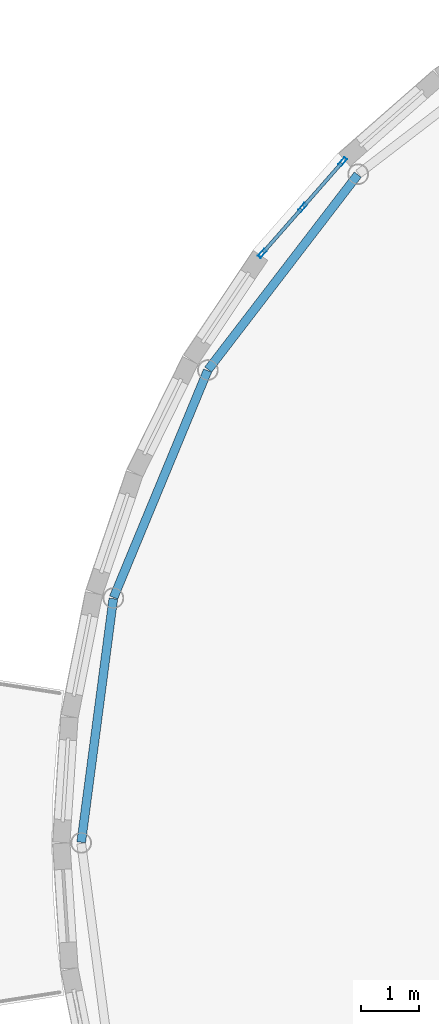
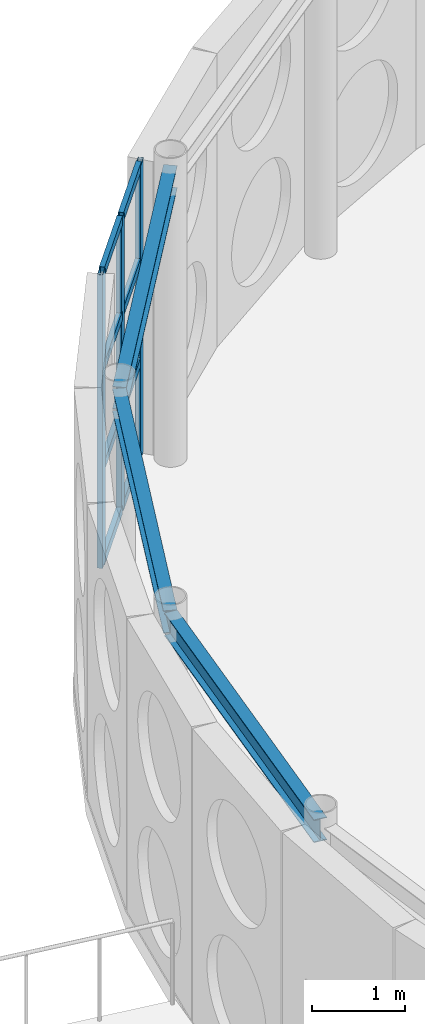
# One storey, part 56 of 165: 11 members, 3 beams, 1 element without a shape of its own.
"""IFC4 building model written with IfcOpenShell, lengths in metres."""

from ifc_helpers import new_model, si_unit, direction, frame, origin, origin_2d, place, context, subcontext, project, spatial, hollow_rectangle, i_section, extrude, material, layer, layer_set, material_profile, profile_set, type_object, element, aggregate, save


model = new_model("IFC4")

# Units and contexts
model_context = context("Model", 3, precision=1e-05, world=origin(), true_north=direction((0.0, 1.0)))
body_context = subcontext(model_context, "Body", "Model", "MODEL_VIEW")
ifc_project = project(units=[si_unit("LENGTHUNIT", "METRE"), si_unit("AREAUNIT", "SQUARE_METRE"), si_unit("VOLUMEUNIT", "CUBIC_METRE"), si_unit("PLANEANGLEUNIT", "RADIAN"), si_unit("MASSUNIT", "GRAM", prefix="KILO")], contexts=[model_context])

# Site, building, storey
site_placement = place(None, origin())
site = spatial("IfcSite", under=ifc_project, at=site_placement, CompositionType="ELEMENT")
building_placement = place(site_placement, origin())
building = spatial("IfcBuilding", under=site, at=building_placement, Name="Montecoro Central Library", CompositionType="ELEMENT")
storey_placement = place(building_placement, frame((0.0, 0.0, 5.10009765625)))
storey = spatial("IfcBuildingStorey", under=building, at=storey_placement, Name="L01", CompositionType="ELEMENT", Elevation=5.10009765625)

# Beams
ifc_material_1 = material(Name="Steel S355", Category="steel")
ifc_material_profile_1 = material_profile(ifc_material_1, i_section(OverallWidth=0.14990234375, OverallDepth=0.300048828125, WebThickness=0.007080078125, FlangeThickness=0.0107421875, at=origin_2d()), Name="IPE 300")
ifc_profile_set_1 = profile_set([ifc_material_profile_1], Name="Steel S355")
beam_type = type_object("IfcBeamType", Name="BM-SP-IPE300", PredefinedType="SPANDREL", material=ifc_profile_set_1)
beam_placement = place(storey_placement, frame((80.153076171875, 46.8330078125, 3.704833984375), z_axis=(-0.608772883181, -0.793344551064, 0.0), x_axis=(0.793344551064, -0.608772883181, 0.0)))
element("IfcBeam", 1, at=beam_placement, inside=storey, type_object=beam_type, Name="V1-L01-RING-10", PredefinedType="SPANDREL", context=body_context, shape_type="SweptSolid", body=[
    extrude(i_section(OverallWidth=0.14990234375, OverallDepth=0.300048828125, WebThickness=0.007080078125, FlangeThickness=0.0107421875, at=origin_2d()), origin(), (0.0, 0.0, 1.0), 4.20361328125),
])
for number, where, z_axis, x_axis, name in (
    (2, (77.583984375, 43.48095703125, 3.704833984375), (-0.382697134684, -0.923873856706, 0.0), (0.923873856706, -0.382697134684, 0.0), "V1-L01-RING-11"),
    (3, (75.969970703125, 39.577880859375, 3.704833984375), (-0.130607740177, -0.99143412197, 0.0), (0.99143412197, -0.130607740177, 0.0), "V1-L01-RING-12"),
):
    element("IfcBeam", number, at=place(storey_placement, frame(where, z_axis=z_axis, x_axis=x_axis)), inside=storey, type_object=beam_type, Name=name, PredefinedType="SPANDREL", context=body_context, shape_type="SweptSolid", body=[
        extrude(i_section(OverallWidth=0.14990234375, OverallDepth=0.300048828125, WebThickness=0.007080078125, FlangeThickness=0.0107421875, at=origin_2d()), origin(), (0.0, 0.0, 1.0), 4.2041015625),
    ])

# Curtain wall, members
ifc_material_2 = material(Name="Bronze-anodised aluminium and low-E glazing", Category="aluminium")
ifc_layer = layer(ifc_material_2, 0.159912109375)
ifc_layer_set = layer_set([ifc_layer], Name="Bronze-anodised aluminium and low-E glazing")
curtain_wall_type = type_object("IfcCurtainWallType", Name="CWT-003", PredefinedType="NOTDEFINED", material=ifc_layer_set)
curtain_wall_placement = place(storey_placement, origin())
curtain_wall = element("IfcCurtainWall", 4, at=curtain_wall_placement, inside=storey, type_object=curtain_wall_type, Name="V1-L01-CW-19", PredefinedType="NOTDEFINED")
ifc_material_3 = material(Name="Bronze-anodised aluminium", Category="aluminium")
ifc_material_profile_2 = material_profile(ifc_material_3, hollow_rectangle(XDim=0.06005859375, YDim=0.159912109375, WallThickness=0.00390625, at=origin_2d()), Name="CWM 160x60x4.0")
ifc_profile_set_2 = profile_set([ifc_material_profile_2], Name="Bronze-anodised aluminium")
member_type_1 = type_object("IfcMemberType", Name="CWM-BRZ-60", PredefinedType="MULLION", material=ifc_profile_set_2)
member_1_placement = place(storey_placement, frame((79.894287109375, 47.052490234375, 0.0), z_axis=(0.0, 0.0, 1.0), x_axis=(0.751536059457, -0.659692012485, 0.0)))
member_1 = element("IfcMember", 5, at=member_1_placement, type_object=member_type_1, Name="CW-003 mullion 1", PredefinedType="MULLION", context=body_context, shape_type="SweptSolid", body=[
    extrude(hollow_rectangle(XDim=0.06005859375, YDim=0.159912109375, WallThickness=0.00390625, at=origin_2d()), origin(), (0.0, 0.0, 1.0), 3.85498046875),
])
member_2_placement = place(storey_placement, frame((79.20654296875, 46.26904296875, 0.0), z_axis=(0.0, 0.0, 1.0), x_axis=(0.751536059457, -0.659692012485, 0.0)))
member_2 = element("IfcMember", 6, at=member_2_placement, type_object=member_type_1, Name="CW-003 mullion 2", PredefinedType="MULLION", context=body_context, shape_type="SweptSolid", body=[
    extrude(hollow_rectangle(XDim=0.06005859375, YDim=0.159912109375, WallThickness=0.00390625, at=origin_2d()), origin(), (0.0, 0.0, 1.0), 3.85498046875),
])
member_3_placement = place(storey_placement, frame((78.518798828125, 45.485595703125, 0.0), z_axis=(0.0, 0.0, 1.0), x_axis=(0.751536059457, -0.659692012485, 0.0)))
member_3 = element("IfcMember", 7, at=member_3_placement, type_object=member_type_1, Name="CW-003 mullion 3", PredefinedType="MULLION", context=body_context, shape_type="SweptSolid", body=[
    extrude(hollow_rectangle(XDim=0.06005859375, YDim=0.159912109375, WallThickness=0.00390625, at=origin_2d()), origin(), (0.0, 0.0, 1.0), 3.85498046875),
])
ifc_material_profile_3 = material_profile(ifc_material_3, hollow_rectangle(XDim=0.06005859375, YDim=0.1201171875, WallThickness=0.00390625, at=origin_2d()), Name="CWT 120x60x4.0")
ifc_profile_set_3 = profile_set([ifc_material_profile_3], Name="Bronze-anodised aluminium")
member_type_2 = type_object("IfcMemberType", Name="CWT-BRZ-60", PredefinedType="USERDEFINED", material=ifc_profile_set_3)
member_4_placement = place(storey_placement, frame((79.87451171875, 47.030029296875, 0.02978515625), z_axis=(-0.659647179219, -0.751575411351, 0.0), x_axis=(0.751575411351, -0.659647179219, 0.0)))
member_4 = element("IfcMember", 8, at=member_4_placement, type_object=member_type_2, Name="CW-003 transom 1.1", ObjectType="TRANSOM", PredefinedType="USERDEFINED", context=body_context, shape_type="SweptSolid", body=[
    extrude(hollow_rectangle(XDim=0.06005859375, YDim=0.1201171875, WallThickness=0.00390625, at=origin_2d()), origin(), (0.0, 0.0, 1.0), 0.982666015625),
])
member_5_placement = place(storey_placement, frame((79.87451171875, 47.030029296875, 1.27978515625), z_axis=(-0.659647179219, -0.751575411351, 0.0), x_axis=(0.751575411351, -0.659647179219, 0.0)))
member_5 = element("IfcMember", 9, at=member_5_placement, type_object=member_type_2, Name="CW-003 transom 1.2", ObjectType="TRANSOM", PredefinedType="USERDEFINED", context=body_context, shape_type="SweptSolid", body=[
    extrude(hollow_rectangle(XDim=0.06005859375, YDim=0.1201171875, WallThickness=0.00390625, at=origin_2d()), origin(), (0.0, 0.0, 1.0), 0.982666015625),
])
member_6_placement = place(storey_placement, frame((79.87451171875, 47.030029296875, 2.579833984375), z_axis=(-0.659647179219, -0.751575411351, 0.0), x_axis=(0.751575411351, -0.659647179219, 0.0)))
member_6 = element("IfcMember", 10, at=member_6_placement, type_object=member_type_2, Name="CW-003 transom 1.3", ObjectType="TRANSOM", PredefinedType="USERDEFINED", context=body_context, shape_type="SweptSolid", body=[
    extrude(hollow_rectangle(XDim=0.06005859375, YDim=0.1201171875, WallThickness=0.00390625, at=origin_2d()), origin(), (0.0, 0.0, 1.0), 0.982666015625),
])
member_7_placement = place(storey_placement, frame((79.87451171875, 47.030029296875, 3.824951171875), z_axis=(-0.659647179219, -0.751575411351, 0.0), x_axis=(0.751575411351, -0.659647179219, 0.0)))
member_7 = element("IfcMember", 11, at=member_7_placement, type_object=member_type_2, Name="CW-003 transom 1.4", ObjectType="TRANSOM", PredefinedType="USERDEFINED", context=body_context, shape_type="SweptSolid", body=[
    extrude(hollow_rectangle(XDim=0.06005859375, YDim=0.1201171875, WallThickness=0.00390625, at=origin_2d()), origin(), (0.0, 0.0, 1.0), 0.982666015625),
])
member_8_placement = place(storey_placement, frame((79.186767578125, 46.246337890625, 0.02978515625), z_axis=(-0.659770370881, -0.751467269885, 0.0), x_axis=(0.751467269885, -0.659770370881, 0.0)))
member_8 = element("IfcMember", 12, at=member_8_placement, type_object=member_type_2, Name="CW-003 transom 2.1", ObjectType="TRANSOM", PredefinedType="USERDEFINED", context=body_context, shape_type="SweptSolid", body=[
    extrude(hollow_rectangle(XDim=0.06005859375, YDim=0.1201171875, WallThickness=0.00390625, at=origin_2d()), origin(), (0.0, 0.0, 1.0), 0.982421875),
])
member_9_placement = place(storey_placement, frame((79.186767578125, 46.246337890625, 1.27978515625), z_axis=(-0.659770370881, -0.751467269885, 0.0), x_axis=(0.751467269885, -0.659770370881, 0.0)))
member_9 = element("IfcMember", 13, at=member_9_placement, type_object=member_type_2, Name="CW-003 transom 2.2", ObjectType="TRANSOM", PredefinedType="USERDEFINED", context=body_context, shape_type="SweptSolid", body=[
    extrude(hollow_rectangle(XDim=0.06005859375, YDim=0.1201171875, WallThickness=0.00390625, at=origin_2d()), origin(), (0.0, 0.0, 1.0), 0.982421875),
])
member_10_placement = place(storey_placement, frame((79.186767578125, 46.246337890625, 2.579833984375), z_axis=(-0.659770370881, -0.751467269885, 0.0), x_axis=(0.751467269885, -0.659770370881, 0.0)))
member_10 = element("IfcMember", 14, at=member_10_placement, type_object=member_type_2, Name="CW-003 transom 2.3", ObjectType="TRANSOM", PredefinedType="USERDEFINED", context=body_context, shape_type="SweptSolid", body=[
    extrude(hollow_rectangle(XDim=0.06005859375, YDim=0.1201171875, WallThickness=0.00390625, at=origin_2d()), origin(), (0.0, 0.0, 1.0), 0.982421875),
])
member_11_placement = place(storey_placement, frame((79.186767578125, 46.246337890625, 3.824951171875), z_axis=(-0.659770370881, -0.751467269885, 0.0), x_axis=(0.751467269885, -0.659770370881, 0.0)))
member_11 = element("IfcMember", 15, at=member_11_placement, type_object=member_type_2, Name="CW-003 transom 2.4", ObjectType="TRANSOM", PredefinedType="USERDEFINED", context=body_context, shape_type="SweptSolid", body=[
    extrude(hollow_rectangle(XDim=0.06005859375, YDim=0.1201171875, WallThickness=0.00390625, at=origin_2d()), origin(), (0.0, 0.0, 1.0), 0.982421875),
])
aggregate(curtain_wall, [member_1, member_2, member_3, member_4, member_5, member_6, member_7, member_8, member_9, member_10, member_11])

save(model, "model.ifc")
